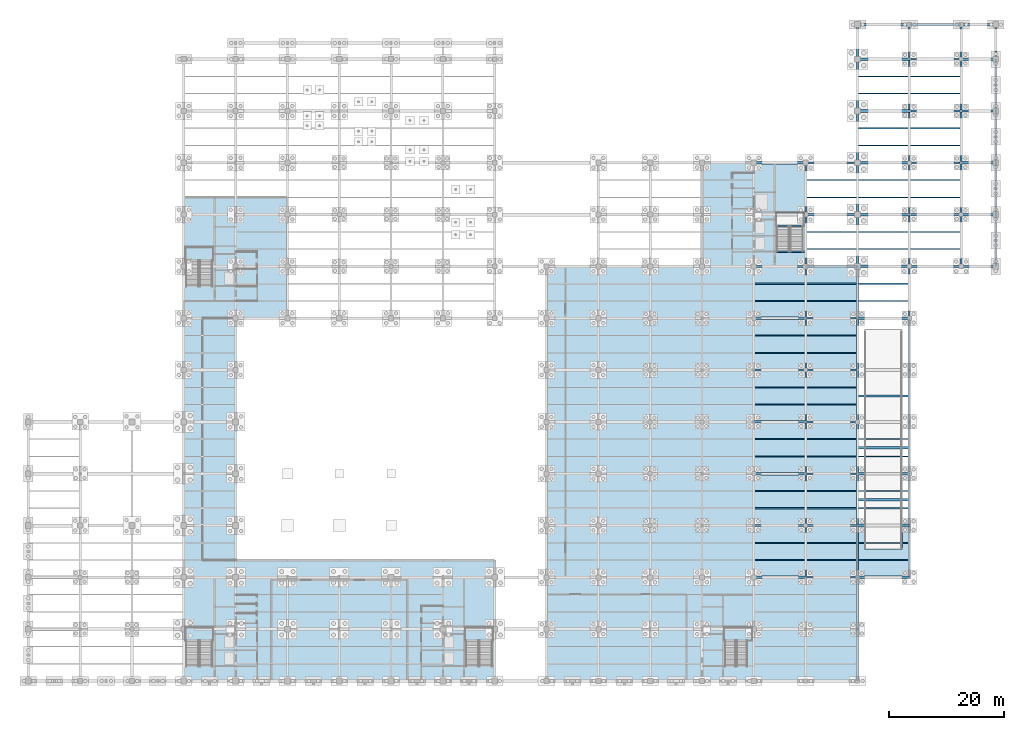
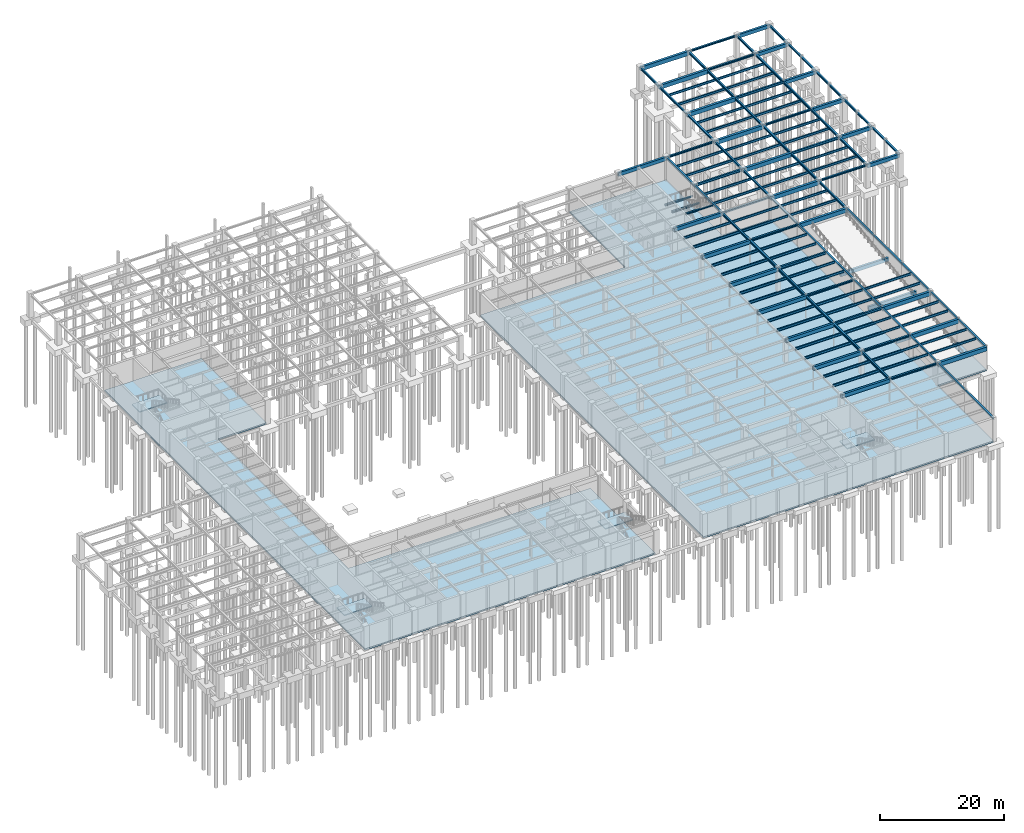
# One storey, part 35 of 49: 139 beams, 6 slabs, 4 elements without a shape of their own.
"""IFC4 building model written with IfcOpenShell, lengths in metres."""

import ifcopenshell
import ifcopenshell.guid

model = None  # the IFC model being written
_history = None  # IfcOwnerHistory: only IFC2X3 demands one
_inside = {}  # id of a spatial element -> (the spatial element, [elements in it])
_under = {}  # id of a project, library or spatial element -> (it, [spatial elements below it])
_declared = {}  # id of a project -> (the project, [libraries it declares])
_typed = {}  # id of a type object -> (the type object, [elements of that type])
_made_of = {}  # id of a material, layer set ... -> (it, [elements and type objects made of it])


def new_model(schema):
    """Start an empty IFC model of exactly this schema.

    Asked for "IFC4X3", IfcOpenShell would pick the latest addendum, in which some entities
    have other attributes; the version numbers below select the first issue.
    IFC2X3 requires an IfcOwnerHistory on every rooted entity: one is made here for all.
    """
    global model, _history
    if schema == "IFC4X3":
        model = ifcopenshell.file(schema_version=(4, 3, 0, 0))
    else:
        model = ifcopenshell.file(schema=schema)
    _inside.clear()
    _under.clear()
    _declared.clear()
    _typed.clear()
    _made_of.clear()
    _history = None
    if model.schema == "IFC2X3":
        org = make("IfcOrganization", Name="unknown")
        user = make(
            "IfcPersonAndOrganization",
            ThePerson=make("IfcPerson", FamilyName="unknown"),
            TheOrganization=org,
        )
        app = make(
            "IfcApplication",
            ApplicationDeveloper=org,
            Version="unknown",
            ApplicationFullName="unknown",
            ApplicationIdentifier="unknown",
        )
        _history = make(
            "IfcOwnerHistory",
            OwningUser=user,
            OwningApplication=app,
            ChangeAction="ADDED",
            CreationDate=0,
        )
    return model


def make(cls, **values):
    """One entity of the class cls with the attributes given. An attribute that is None is left unset."""
    return model.create_entity(
        cls, **{name: value for name, value in values.items() if value is not None}
    )


def rooted(cls, **values):
    """An entity with a GlobalId (a new one), such as an element, a storey or a relation."""
    return make(cls, GlobalId=ifcopenshell.guid.new(), OwnerHistory=_history, **values)


def si_unit(unit_type, name, prefix=None):
    """IfcSIUnit, for example si_unit("LENGTHUNIT", "METRE", prefix="MILLI")."""
    return make("IfcSIUnit", UnitType=unit_type, Prefix=prefix, Name=name)


def assignment(units):
    """IfcUnitAssignment: the units of a project."""
    return None if units is None else make("IfcUnitAssignment", Units=units)


def point(xyz):
    """IfcCartesianPoint."""
    return None if xyz is None else make("IfcCartesianPoint", Coordinates=xyz)


def direction(xyz):
    """IfcDirection."""
    return None if xyz is None else make("IfcDirection", DirectionRatios=xyz)


def frame(location, z_axis=None, x_axis=None):
    """IfcAxis2Placement3D, a coordinate frame: its origin and axes. An axis left out is left unset."""
    return make(
        "IfcAxis2Placement3D",
        Location=point(location),
        Axis=direction(z_axis),
        RefDirection=direction(x_axis),
    )


def frame_2d(location, x_axis=None):
    """IfcAxis2Placement2D, a coordinate frame in the plane: its origin and x axis."""
    return make(
        "IfcAxis2Placement2D", Location=point(location), RefDirection=direction(x_axis)
    )


def origin():
    """The frame at (0, 0, 0) with its axes left unset."""
    return frame((0.0, 0.0, 0.0))


def origin_2d():
    """The frame at (0, 0) in the plane with its x axis left unset."""
    return frame_2d((0.0, 0.0))


def place(relative_to, where):
    """IfcLocalPlacement: puts the frame where relative to a parent placement (None: the world)."""
    return make(
        "IfcLocalPlacement", PlacementRelTo=relative_to, RelativePlacement=where
    )


def context(
    kind, dimensions, precision=None, world=None, true_north=None, identifier=None
):
    """IfcGeometricRepresentationContext, for example the 3D "Model" context."""
    return make(
        "IfcGeometricRepresentationContext",
        ContextIdentifier=identifier,
        ContextType=kind,
        CoordinateSpaceDimension=dimensions,
        Precision=precision,
        WorldCoordinateSystem=world,
        TrueNorth=true_north,
    )


def subcontext(parent, identifier, kind, view, scale=None):
    """IfcGeometricRepresentationSubContext, for example "Body" below "Model"."""
    return make(
        "IfcGeometricRepresentationSubContext",
        ContextIdentifier=identifier,
        ContextType=kind,
        ParentContext=parent,
        TargetScale=scale,
        TargetView=view,
    )


def project(units=None, contexts=None):
    """IfcProject with its units and contexts."""
    return rooted(
        "IfcProject",
        Name="project",
        RepresentationContexts=contexts,
        UnitsInContext=assignment(units),
    )


def spatial(cls, under=None, at=None, **own):
    """A site, building, storey or space (cls), placed at a placement, below another one or the project."""
    s = rooted(cls, ObjectPlacement=at, **own)
    if under is not None:
        _under.setdefault(under.id(), (under, []))[1].append(s)
    return s


def polyline(points):
    """IfcPolyline through the points."""
    return make("IfcPolyline", Points=[point(p) for p in points])


def profile(cls, at=None, kind="AREA", **sizes):
    """A parametric profile (cls). Its sizes go by their IFC names, for example OverallWidth=200.0."""
    return make(cls, ProfileType=kind, Position=at, **sizes)


def rectangle(**sizes):
    """IfcRectangleProfileDef."""
    return profile("IfcRectangleProfileDef", **sizes)


def i_section(**sizes):
    """IfcIShapeProfileDef."""
    return profile("IfcIShapeProfileDef", **sizes)


def outline(outer, holes=None, kind="AREA"):
    """IfcArbitraryClosedProfileDef: a profile drawn as a closed curve; with holes, ...WithVoids."""
    if holes is None:
        return make("IfcArbitraryClosedProfileDef", ProfileType=kind, OuterCurve=outer)
    return make(
        "IfcArbitraryProfileDefWithVoids",
        ProfileType=kind,
        OuterCurve=outer,
        InnerCurves=holes,
    )


def extrude(swept, where, along, depth):
    """IfcExtrudedAreaSolid: the profile swept, set in the frame where, extruded along a direction by depth."""
    return make(
        "IfcExtrudedAreaSolid",
        SweptArea=swept,
        Position=where,
        ExtrudedDirection=direction(along),
        Depth=depth,
    )


def shape(context_of_items, identifier, shape_type, items):
    """IfcShapeRepresentation: the items that make up one representation, for example the "Body"."""
    return make(
        "IfcShapeRepresentation",
        ContextOfItems=context_of_items,
        RepresentationIdentifier=identifier,
        RepresentationType=shape_type,
        Items=items,
    )


def material(Name=None, Category=None):
    """IfcMaterial."""
    return make("IfcMaterial", Name=Name, Category=Category)


def layer(
    of_material, thickness, ventilated=None, Name=None, Category=None, Priority=None
):
    """IfcMaterialLayer: one layer of a wall or slab, of a material (None: an air gap)."""
    return make(
        "IfcMaterialLayer",
        Material=of_material,
        LayerThickness=thickness,
        IsVentilated=ventilated,
        Name=Name,
        Category=Category,
        Priority=Priority,
    )


def layer_set(layers, Name=None):
    """IfcMaterialLayerSet."""
    return make("IfcMaterialLayerSet", MaterialLayers=layers, LayerSetName=Name)


def material_profile(
    of_material, cross_section, Name=None, Category=None, Priority=None
):
    """IfcMaterialProfile: a cross section and its material."""
    return make(
        "IfcMaterialProfile",
        Name=Name,
        Material=of_material,
        Profile=cross_section,
        Priority=Priority,
        Category=Category,
    )


def profile_set(profiles, Name=None, composite=None):
    """IfcMaterialProfileSet."""
    return make(
        "IfcMaterialProfileSet",
        Name=Name,
        MaterialProfiles=profiles,
        CompositeProfile=composite,
    )


def made_of(thing, what):
    """Note that an element or type object is made of a material, layer set ...; save() writes the relation."""
    if what is not None:
        _made_of.setdefault(what.id(), (what, []))[1].append(thing)
    return thing


def type_object(cls, material=None, **own):
    """A type object (cls), such as IfcWallType, which elements share."""
    return made_of(rooted(cls, **own), material)


def element(
    cls,
    number,
    at=None,
    inside=None,
    cuts=None,
    type_object=None,
    material=None,
    context=None,
    identifier="Body",
    shape_type=None,
    held_by="IfcProductDefinitionShape",
    body=None,
    shapes=None,
    **own,
):
    """One element of the class cls, such as IfcWall. Its Tag is "e" and its number.

    at: its placement. inside: the storey or other place that contains it. cuts: it is an
    opening in that element (IfcRelVoidsElement). A single representation is given by context,
    identifier, shape_type and body (its items); several are given by shapes. held_by: the class
    of the entity that holds the representations. save() writes the other relations.
    """
    e = rooted(cls, Tag="e%d" % number, ObjectPlacement=at, **own)
    if body is not None:
        shapes = [shape(context, identifier, shape_type, body)]
    if shapes is not None:
        e.Representation = make(held_by, Representations=shapes)
    if inside is not None:
        _inside.setdefault(inside.id(), (inside, []))[1].append(e)
    if cuts is not None:
        rooted(
            "IfcRelVoidsElement", RelatingBuildingElement=cuts, RelatedOpeningElement=e
        )
    if type_object is not None:
        _typed.setdefault(type_object.id(), (type_object, []))[1].append(e)
    return made_of(e, material)


def aggregate(whole, parts):
    """IfcRelAggregates: a whole, such as a stair, and the parts it consists of."""
    return rooted("IfcRelAggregates", RelatingObject=whole, RelatedObjects=parts)


def save(model, path):
    """Write the relations noted so far, then the file.

    IfcRelAggregates (storeys below a building ...), IfcRelContainedInSpatialStructure (elements
    in a storey), IfcRelDefinesByType, IfcRelAssociatesMaterial and IfcRelDeclares: one each for
    every whole, place, type object, material and project.
    """
    for whole, parts in _under.values():
        aggregate(whole, parts)
    for where, things in _inside.values():
        rooted(
            "IfcRelContainedInSpatialStructure",
            RelatedElements=things,
            RelatingStructure=where,
        )
    for kind, things in _typed.values():
        rooted("IfcRelDefinesByType", RelatedObjects=things, RelatingType=kind)
    for what, things in _made_of.values():
        rooted("IfcRelAssociatesMaterial", RelatedObjects=things, RelatingMaterial=what)
    for by, libraries in _declared.values():
        rooted("IfcRelDeclares", RelatingContext=by, RelatedDefinitions=libraries)
    model.write(path)


model = new_model("IFC4")

# Units and contexts
model_context = context("Model", 3, precision=1e-05, world=origin(), true_north=direction((0.0, 1.0)))
body_context = subcontext(model_context, "Body", "Model", "MODEL_VIEW")
ifc_project = project(units=[si_unit("LENGTHUNIT", "METRE"), si_unit("AREAUNIT", "SQUARE_METRE"), si_unit("VOLUMEUNIT", "CUBIC_METRE"), si_unit("PLANEANGLEUNIT", "RADIAN"), si_unit("MASSUNIT", "GRAM", prefix="KILO")], contexts=[model_context])

# Site, building, storey
site_placement = place(None, origin())
site = spatial("IfcSite", under=ifc_project, at=site_placement, CompositionType="ELEMENT")
building_placement = place(site_placement, origin())
building = spatial("IfcBuilding", under=site, at=building_placement, Name="Lykobir Media Centre", CompositionType="ELEMENT")
storey_placement = place(building_placement, frame((0.0, 0.0, -4.800048828125)))
storey = spatial("IfcBuildingStorey", under=building, at=storey_placement, Name="B1", CompositionType="ELEMENT", Elevation=-4.800048828125)

# Beams
ifc_material_1 = material(Name="Steel S355", Category="steel")
ifc_material_profile_1 = material_profile(ifc_material_1, i_section(OverallWidth=0.300048828125, OverallDepth=0.43994140625, WebThickness=0.011474609375, FlangeThickness=0.02099609375, at=origin_2d()), Name="HEA 450")
ifc_profile_set_1 = profile_set([ifc_material_profile_1], Name="Steel S355")
beam_type_1 = type_object("IfcBeamType", Name="BM-HEA450", PredefinedType="BEAM", material=ifc_profile_set_1)
for number, where, z_axis, x_axis, name in (
    (1, (135.0, 18.0, 4.330078125), (0.0, 1.0, 0.0), (-1.0, 0.0, 0.0), "Beam BM-B1-1350-0180-1350-0270--47"),
    (2, (135.0, 27.0, 4.330078125), (0.0, 1.0, 0.0), (-1.0, 0.0, 0.0), "Beam BM-B1-1350-0270-1350-0360--47"),
    (3, (135.0, 36.0, 4.330078125), (0.0, 1.0, 0.0), (-1.0, 0.0, 0.0), "Beam BM-B1-1350-0360-1350-0450--47"),
    (4, (135.0, 45.0, 4.330078125), (0.0, 1.0, 0.0), (-1.0, 0.0, 0.0), "Beam BM-B1-1350-0450-1350-0540--47"),
    (5, (135.0, 54.0, 4.330078125), (0.0, 1.0, 0.0), (-1.0, 0.0, 0.0), "Beam BM-B1-1350-0540-1350-0630--47"),
    (6, (135.0, 63.0, 4.330078125), (0.0, 1.0, 0.0), (-1.0, 0.0, 0.0), "Beam BM-B1-1350-0630-1350-0720--47"),
    (7, (135.0, 72.0, 4.330078125), (0.0, 1.0, 0.0), (-1.0, 0.0, 0.0), "Beam BM-B1-1350-0720-1350-0810--47"),
    (8, (135.0, 81.0, 4.330078125), (0.0, 1.0, 0.0), (-1.0, 0.0, 0.0), "Beam BM-B1-1350-0810-1350-0900--47"),
    (9, (153.0, 18.0, 4.330078125), (0.0, 1.0, 0.0), (-1.0, 0.0, 0.0), "Beam BM-B1-1530-0180-1530-0270--47"),
    (10, (153.0, 27.0, 4.330078125), (0.0, 1.0, 0.0), (-1.0, 0.0, 0.0), "Beam BM-B1-1530-0270-1530-0360--47"),
    (11, (153.0, 36.0, 4.330078125), (0.0, 1.0, 0.0), (-1.0, 0.0, 0.0), "Beam BM-B1-1530-0360-1530-0450--47"),
    (12, (153.0, 45.0, 4.330078125), (0.0, 1.0, 0.0), (-1.0, 0.0, 0.0), "Beam BM-B1-1530-0450-1530-0540--47"),
    (13, (153.0, 54.0, 4.330078125), (0.0, 1.0, 0.0), (-1.0, 0.0, 0.0), "Beam BM-B1-1530-0540-1530-0630--47"),
    (14, (153.0, 63.0, 4.298095703125), (0.0, 1.0, 0.0), (-1.0, 0.0, 0.0), "Beam BM-B1-1530-0630-1530-0720--47"),
    (15, (153.0, 72.0, 4.300048828125), (0.0, 1.0, 0.0), (-1.0, 0.0, 0.0), "Beam BM-B1-1530-0720-1530-0810--50"),
    (16, (153.0, 81.0, 4.300048828125), (0.0, 1.0, 0.0), (-1.0, 0.0, 0.0), "Beam BM-B1-1530-0810-1530-0900--50"),
    (17, (153.0, 90.0, 4.300048828125), (0.0, 1.0, 0.0), (-1.0, 0.0, 0.0), "Beam BM-B1-1530-0900-1530-0990--50"),
    (18, (153.0, 99.0, 4.300048828125), (0.0, 1.0, 0.0), (-1.0, 0.0, 0.0), "Beam BM-B1-1530-0990-1530-1080--50"),
):
    element("IfcBeam", number, at=place(storey_placement, frame(where, z_axis=z_axis, x_axis=x_axis)), inside=storey, type_object=beam_type_1, Name=name, PredefinedType="BEAM", context=body_context, shape_type="SweptSolid", body=[
        extrude(i_section(OverallWidth=0.300048828125, OverallDepth=0.43994140625, WebThickness=0.011474609375, FlangeThickness=0.02099609375, at=origin_2d()), origin(), (0.0, 0.0, 1.0), 9.0),
    ])
beam_1_placement = place(storey_placement, frame((153.0, 108.0, 4.300048828125), z_axis=(0.0, 1.0, 0.0), x_axis=(-1.0, 0.0, 0.0)))
element("IfcBeam", 19, at=beam_1_placement, inside=storey, type_object=beam_type_1, Name="Beam BM-B1-1530-1080-1530-1140--50", PredefinedType="BEAM", context=body_context, shape_type="SweptSolid", body=[
    extrude(i_section(OverallWidth=0.300048828125, OverallDepth=0.43994140625, WebThickness=0.011474609375, FlangeThickness=0.02099609375, at=origin_2d()), origin(), (0.0, 0.0, 1.0), 6.0),
])
for number, where, z_axis, x_axis, name in (
    (20, (162.0, 72.0, 4.300048828125), (0.0, 1.0, 0.0), (-1.0, 0.0, 0.0), "Beam BM-B1-1620-0720-1620-0810--50"),
    (21, (162.0, 81.0, 4.300048828125), (0.0, 1.0, 0.0), (-1.0, 0.0, 0.0), "Beam BM-B1-1620-0810-1620-0900--50"),
    (22, (162.0, 90.0, 4.300048828125), (0.0, 1.0, 0.0), (-1.0, 0.0, 0.0), "Beam BM-B1-1620-0900-1620-0990--50"),
    (23, (162.0, 99.0, 4.300048828125), (0.0, 1.0, 0.0), (-1.0, 0.0, 0.0), "Beam BM-B1-1620-0990-1620-1080--50"),
):
    element("IfcBeam", number, at=place(storey_placement, frame(where, z_axis=z_axis, x_axis=x_axis)), inside=storey, type_object=beam_type_1, Name=name, PredefinedType="BEAM", context=body_context, shape_type="SweptSolid", body=[
        extrude(i_section(OverallWidth=0.300048828125, OverallDepth=0.43994140625, WebThickness=0.011474609375, FlangeThickness=0.02099609375, at=origin_2d()), origin(), (0.0, 0.0, 1.0), 9.0),
    ])
beam_2_placement = place(storey_placement, frame((162.0, 108.0, 4.300048828125), z_axis=(0.0, 1.0, 0.0), x_axis=(-1.0, 0.0, 0.0)))
element("IfcBeam", 24, at=beam_2_placement, inside=storey, type_object=beam_type_1, Name="Beam BM-B1-1620-1080-1620-1140--50", PredefinedType="BEAM", context=body_context, shape_type="SweptSolid", body=[
    extrude(i_section(OverallWidth=0.300048828125, OverallDepth=0.43994140625, WebThickness=0.011474609375, FlangeThickness=0.02099609375, at=origin_2d()), origin(), (0.0, 0.0, 1.0), 6.0),
])
ifc_material_profile_2 = material_profile(ifc_material_1, i_section(OverallWidth=0.300048828125, OverallDepth=0.489990234375, WebThickness=0.011962890625, FlangeThickness=0.02294921875, at=origin_2d()), Name="HEA 500")
ifc_profile_set_2 = profile_set([ifc_material_profile_2], Name="Steel S355")
beam_type_2 = type_object("IfcBeamType", Name="BM-HEA500", PredefinedType="BEAM", material=ifc_profile_set_2)
for number, where, z_axis, x_axis, name in (
    (25, (135.0, 36.0, 4.304931640625), (1.0, 0.0, 0.0), (0.0, 1.0, 0.0), "Beam BM-B1-1350-0360-1440-0360--50"),
    (26, (135.0, 54.0, 4.304931640625), (1.0, 0.0, 0.0), (0.0, 1.0, 0.0), "Beam BM-B1-1350-0540-1440-0540--50"),
    (27, (135.0, 81.0, 4.27294921875), (1.0, 0.0, 0.0), (0.0, 1.0, 0.0), "Beam BM-B1-1350-0810-1440-0810--50"),
    (28, (153.0, 81.0, 4.275146484375), (1.0, 0.0, 0.0), (0.0, 1.0, 0.0), "Beam BM-B1-1530-0810-1620-0810--52"),
    (29, (153.0, 99.0, 4.275146484375), (1.0, 0.0, 0.0), (0.0, 1.0, 0.0), "Beam BM-B1-1530-0990-1620-0990--52"),
):
    element("IfcBeam", number, at=place(storey_placement, frame(where, z_axis=z_axis, x_axis=x_axis)), inside=storey, type_object=beam_type_2, Name=name, PredefinedType="BEAM", context=body_context, shape_type="SweptSolid", body=[
        extrude(i_section(OverallWidth=0.300048828125, OverallDepth=0.489990234375, WebThickness=0.011962890625, FlangeThickness=0.02294921875, at=origin_2d()), origin(), (0.0, 0.0, 1.0), 9.0),
    ])
ifc_material_2 = material(Name="Concrete C40/50", Category="concrete")
ifc_material_profile_3 = material_profile(ifc_material_2, rectangle(XDim=0.39990234375, YDim=0.699951171875, at=origin_2d()), Name="RC BEAM 400x700")
ifc_profile_set_3 = profile_set([ifc_material_profile_3], Name="Concrete C40/50")
beam_type_3 = type_object("IfcBeamType", Name="BM-RC700", PredefinedType="BEAM", material=ifc_profile_set_3)
for number, where, z_axis, x_axis, name in (
    (30, (144.0, 31.5, 0.429931640625), (1.0, 0.0, 0.0), (0.0, 1.0, 0.0), "Beam BM-B1-1440-0315-1530-0315--437"),
    (31, (144.0, 40.5, 1.554931640625), (1.0, 0.0, 0.0), (0.0, 1.0, 0.0), "Beam BM-B1-1440-0405-1530-0405--324"),
    (32, (144.0, 49.5, 2.679931640625), (1.0, 0.0, 0.0), (0.0, 1.0, 0.0), "Beam BM-B1-1440-0495-1530-0495--212"),
    (33, (126.0, 18.0, 4.199951171875), (1.0, 0.0, 0.0), (0.0, 1.0, 0.0), "Beam BM-B1-1260-0180-1350-0180--60"),
    (34, (126.0, 27.0, 4.199951171875), (1.0, 0.0, 0.0), (0.0, 1.0, 0.0), "Beam BM-B1-1260-0270-1350-0270--60"),
    (35, (126.0, 36.0, 4.199951171875), (1.0, 0.0, 0.0), (0.0, 1.0, 0.0), "Beam BM-B1-1260-0360-1350-0360--60"),
    (36, (126.0, 45.0, 4.199951171875), (1.0, 0.0, 0.0), (0.0, 1.0, 0.0), "Beam BM-B1-1260-0450-1350-0450--60"),
    (37, (126.0, 54.0, 4.199951171875), (1.0, 0.0, 0.0), (0.0, 1.0, 0.0), "Beam BM-B1-1260-0540-1350-0540--60"),
    (38, (126.0, 63.0, 4.199951171875), (1.0, 0.0, 0.0), (0.0, 1.0, 0.0), "Beam BM-B1-1260-0630-1350-0630--60"),
    (39, (126.0, 72.0, 4.199951171875), (1.0, 0.0, 0.0), (0.0, 1.0, 0.0), "Beam BM-B1-1260-0720-1350-0720--60"),
):
    element("IfcBeam", number, at=place(storey_placement, frame(where, z_axis=z_axis, x_axis=x_axis)), inside=storey, type_object=beam_type_3, Name=name, PredefinedType="BEAM", context=body_context, shape_type="SweptSolid", body=[
        extrude(rectangle(XDim=0.39990234375, YDim=0.699951171875, at=origin_2d()), origin(), (0.0, 0.0, 1.0), 9.0),
    ])
for number, where, z_axis, x_axis, name in (
    (40, (162.0, 72.0, 4.170166015625), (1.0, 0.0, 0.0), (0.0, 1.0, 0.0), "Beam BM-B1-1620-0720-1680-0720--63"),
    (41, (162.0, 81.0, 4.170166015625), (1.0, 0.0, 0.0), (0.0, 1.0, 0.0), "Beam BM-B1-1620-0810-1680-0810--63"),
):
    element("IfcBeam", number, at=place(storey_placement, frame(where, z_axis=z_axis, x_axis=x_axis)), inside=storey, type_object=beam_type_3, Name=name, PredefinedType="BEAM", context=body_context, shape_type="SweptSolid", body=[
        extrude(rectangle(XDim=0.39990234375, YDim=0.699951171875, at=origin_2d()), origin(), (0.0, 0.0, 1.0), 6.0),
    ])
beam_3_placement = place(storey_placement, frame((126.0, 90.0, 4.199951171875), z_axis=(1.0, 0.0, 0.0), x_axis=(0.0, 1.0, 0.0)))
element("IfcBeam", 42, at=beam_3_placement, inside=storey, type_object=beam_type_3, Name="Beam BM-B1-1260-0900-1350-0900--60", PredefinedType="BEAM", context=body_context, shape_type="SweptSolid", body=[
    extrude(rectangle(XDim=0.39990234375, YDim=0.699951171875, at=origin_2d()), origin(), (0.0, 0.0, 1.0), 9.0),
])
for number, where, z_axis, x_axis, name in (
    (43, (162.0, 90.0, 4.170166015625), (1.0, 0.0, 0.0), (0.0, 1.0, 0.0), "Beam BM-B1-1620-0900-1680-0900--63"),
    (44, (162.0, 99.0, 4.170166015625), (1.0, 0.0, 0.0), (0.0, 1.0, 0.0), "Beam BM-B1-1620-0990-1680-0990--63"),
    (45, (162.0, 108.0, 4.170166015625), (1.0, 0.0, 0.0), (0.0, 1.0, 0.0), "Beam BM-B1-1620-1080-1680-1080--63"),
    (46, (162.0, 114.0, 4.170166015625), (1.0, 0.0, 0.0), (0.0, 1.0, 0.0), "Beam BM-B1-1620-1140-1680-1140--63"),
):
    element("IfcBeam", number, at=place(storey_placement, frame(where, z_axis=z_axis, x_axis=x_axis)), inside=storey, type_object=beam_type_3, Name=name, PredefinedType="BEAM", context=body_context, shape_type="SweptSolid", body=[
        extrude(rectangle(XDim=0.39990234375, YDim=0.699951171875, at=origin_2d()), origin(), (0.0, 0.0, 1.0), 6.0),
    ])
ifc_material_profile_4 = material_profile(ifc_material_2, rectangle(XDim=0.449951171875, YDim=0.800048828125, at=origin_2d()), Name="RC BEAM 450x800")
ifc_profile_set_4 = profile_set([ifc_material_profile_4], Name="Concrete C40/50")
beam_type_4 = type_object("IfcBeamType", Name="BM-RC800", PredefinedType="BEAM", material=ifc_profile_set_4)
for number, where, z_axis, x_axis, name in (
    (47, (144.0, 18.0, 4.150146484375), (1.0, 0.0, 0.0), (0.0, 1.0, 0.0), "Beam BM-B1-1440-0180-1530-0180--65"),
    (48, (144.0, 27.0, 4.150146484375), (1.0, 0.0, 0.0), (0.0, 1.0, 0.0), "Beam BM-B1-1440-0270-1530-0270--65"),
    (49, (144.0, 36.0, 4.150146484375), (1.0, 0.0, 0.0), (0.0, 1.0, 0.0), "Beam BM-B1-1440-0360-1530-0360--65"),
    (50, (144.0, 63.0, 4.150146484375), (1.0, 0.0, 0.0), (0.0, 1.0, 0.0), "Beam BM-B1-1440-0630-1530-0630--65"),
    (51, (144.0, 72.0, 4.1201171875), (1.0, 0.0, 0.0), (0.0, 1.0, 0.0), "Beam BM-B1-1440-0720-1530-0720--68"),
    (52, (144.0, 81.0, 4.1201171875), (1.0, 0.0, 0.0), (0.0, 1.0, 0.0), "Beam BM-B1-1440-0810-1530-0810--68"),
    (53, (144.0, 90.0, 4.1201171875), (1.0, 0.0, 0.0), (0.0, 1.0, 0.0), "Beam BM-B1-1440-0900-1530-0900--68"),
    (54, (144.0, 99.0, 4.1201171875), (1.0, 0.0, 0.0), (0.0, 1.0, 0.0), "Beam BM-B1-1440-0990-1530-0990--68"),
    (55, (144.0, 108.0, 4.1201171875), (1.0, 0.0, 0.0), (0.0, 1.0, 0.0), "Beam BM-B1-1440-1080-1530-1080--68"),
    (56, (144.0, 114.0, 4.1201171875), (1.0, 0.0, 0.0), (0.0, 1.0, 0.0), "Beam BM-B1-1440-1140-1530-1140--68"),
):
    element("IfcBeam", number, at=place(storey_placement, frame(where, z_axis=z_axis, x_axis=x_axis)), inside=storey, type_object=beam_type_4, Name=name, PredefinedType="BEAM", context=body_context, shape_type="SweptSolid", body=[
        extrude(rectangle(XDim=0.449951171875, YDim=0.800048828125, at=origin_2d()), origin(), (0.0, 0.0, 1.0), 9.0),
    ])
ifc_material_profile_5 = material_profile(ifc_material_1, i_section(OverallWidth=0.260009765625, OverallDepth=0.25, WebThickness=0.007568359375, FlangeThickness=0.012451171875, at=origin_2d()), Name="HEA 260")
ifc_profile_set_5 = profile_set([ifc_material_profile_5], Name="Steel S355")
beam_type_5 = type_object("IfcBeamType", Name="BM-ST260", PredefinedType="BEAM", material=ifc_profile_set_5)
beam_4_placement = place(storey_placement, frame((129.72998046875, 81.280029296875, 2.080078125), z_axis=(1.0, 0.0, 0.0), x_axis=(0.0, 1.0, 0.0)))
element("IfcBeam", 57, at=beam_4_placement, inside=storey, type_object=beam_type_5, Name="ST-4 B1 half-landing support beam", PredefinedType="BEAM", context=body_context, shape_type="SweptSolid", body=[
    extrude(i_section(OverallWidth=0.260009765625, OverallDepth=0.25, WebThickness=0.007568359375, FlangeThickness=0.012451171875, at=origin_2d()), origin(), (0.0, 0.0, 1.0), 5.14013671875),
])
ifc_material_profile_6 = material_profile(ifc_material_1, i_section(OverallWidth=0.280029296875, OverallDepth=0.27001953125, WebThickness=0.008056640625, FlangeThickness=0.012939453125, at=origin_2d()), Name="HEA 280")
ifc_profile_set_6 = profile_set([ifc_material_profile_6], Name="Steel S355")
beam_type_6 = type_object("IfcBeamType", Name="BM-ST280", PredefinedType="BEAM", material=ifc_profile_set_6)
for number, where, z_axis, x_axis, name in (
    (58, (129.72998046875, 74.580078125, 4.4150390625), (1.0, 0.0, 0.0), (0.0, 1.0, 0.0), "ST-4 B1 arrival trimmer beam"),
    (59, (129.72998046875, 79.080078125, 2.070068359375), (1.0, 0.0, 0.0), (0.0, 1.0, 0.0), "ST-4 B1 mid-landing trimmer beam"),
):
    element("IfcBeam", number, at=place(storey_placement, frame(where, z_axis=z_axis, x_axis=x_axis)), inside=storey, type_object=beam_type_6, Name=name, PredefinedType="BEAM", context=body_context, shape_type="SweptSolid", body=[
        extrude(i_section(OverallWidth=0.280029296875, OverallDepth=0.27001953125, WebThickness=0.008056640625, FlangeThickness=0.012939453125, at=origin_2d()), origin(), (0.0, 0.0, 1.0), 5.14013671875),
    ])
ifc_material_profile_7 = material_profile(ifc_material_1, i_section(OverallWidth=0.18994140625, OverallDepth=0.449951171875, WebThickness=0.009521484375, FlangeThickness=0.0146484375, at=origin_2d()), Name="IPE 450")
ifc_profile_set_7 = profile_set([ifc_material_profile_7], Name="Steel S355")
beam_type_7 = type_object("IfcBeamType", Name="JS-IPE450", PredefinedType="JOIST", material=ifc_profile_set_7)
for number, where, z_axis, x_axis, name in (
    (60, (126.14990234375, 21.0, 4.324951171875), (1.0, 0.0, 0.0), (0.0, 1.0, 0.0), "Beam BM-B1-1262-0210-1348-0210--48"),
    (61, (126.14990234375, 24.0, 4.324951171875), (1.0, 0.0, 0.0), (0.0, 1.0, 0.0), "Beam BM-B1-1262-0240-1348-0240--48"),
    (62, (126.14990234375, 30.0, 4.324951171875), (1.0, 0.0, 0.0), (0.0, 1.0, 0.0), "Beam BM-B1-1262-0300-1348-0300--48"),
    (63, (126.14990234375, 33.0, 4.324951171875), (1.0, 0.0, 0.0), (0.0, 1.0, 0.0), "Beam BM-B1-1262-0330-1348-0330--48"),
    (64, (126.14990234375, 39.0, 4.324951171875), (1.0, 0.0, 0.0), (0.0, 1.0, 0.0), "Beam BM-B1-1262-0390-1348-0390--48"),
    (65, (126.14990234375, 42.0, 4.324951171875), (1.0, 0.0, 0.0), (0.0, 1.0, 0.0), "Beam BM-B1-1262-0420-1348-0420--48"),
    (66, (126.14990234375, 48.0, 4.324951171875), (1.0, 0.0, 0.0), (0.0, 1.0, 0.0), "Beam BM-B1-1262-0480-1348-0480--48"),
    (67, (126.14990234375, 51.0, 4.324951171875), (1.0, 0.0, 0.0), (0.0, 1.0, 0.0), "Beam BM-B1-1262-0510-1348-0510--48"),
    (68, (126.14990234375, 57.0, 4.324951171875), (1.0, 0.0, 0.0), (0.0, 1.0, 0.0), "Beam BM-B1-1262-0570-1348-0570--48"),
    (69, (126.14990234375, 60.0, 4.324951171875), (1.0, 0.0, 0.0), (0.0, 1.0, 0.0), "Beam BM-B1-1262-0600-1348-0600--48"),
    (70, (126.14990234375, 66.0, 4.324951171875), (1.0, 0.0, 0.0), (0.0, 1.0, 0.0), "Beam BM-B1-1262-0660-1348-0660--48"),
    (71, (126.14990234375, 69.0, 4.324951171875), (1.0, 0.0, 0.0), (0.0, 1.0, 0.0), "Beam BM-B1-1262-0690-1348-0690--48"),
    (72, (135.14990234375, 21.0, 4.324951171875), (1.0, 0.0, 0.0), (0.0, 1.0, 0.0), "Beam BM-B1-1352-0210-1438-0210--48"),
    (73, (135.14990234375, 24.0, 4.324951171875), (1.0, 0.0, 0.0), (0.0, 1.0, 0.0), "Beam BM-B1-1352-0240-1438-0240--48"),
    (74, (135.14990234375, 30.0, 4.324951171875), (1.0, 0.0, 0.0), (0.0, 1.0, 0.0), "Beam BM-B1-1352-0300-1438-0300--48"),
    (75, (135.14990234375, 33.0, 4.324951171875), (1.0, 0.0, 0.0), (0.0, 1.0, 0.0), "Beam BM-B1-1352-0330-1438-0330--48"),
    (76, (135.14990234375, 39.0, 4.324951171875), (1.0, 0.0, 0.0), (0.0, 1.0, 0.0), "Beam BM-B1-1352-0390-1438-0390--48"),
    (77, (135.14990234375, 42.0, 4.324951171875), (1.0, 0.0, 0.0), (0.0, 1.0, 0.0), "Beam BM-B1-1352-0420-1438-0420--48"),
    (78, (135.14990234375, 48.0, 4.324951171875), (1.0, 0.0, 0.0), (0.0, 1.0, 0.0), "Beam BM-B1-1352-0480-1438-0480--48"),
    (79, (135.14990234375, 51.0, 4.324951171875), (1.0, 0.0, 0.0), (0.0, 1.0, 0.0), "Beam BM-B1-1352-0510-1438-0510--48"),
    (80, (135.14990234375, 57.0, 4.324951171875), (1.0, 0.0, 0.0), (0.0, 1.0, 0.0), "Beam BM-B1-1352-0570-1438-0570--48"),
    (81, (135.14990234375, 60.0, 4.324951171875), (1.0, 0.0, 0.0), (0.0, 1.0, 0.0), "Beam BM-B1-1352-0600-1438-0600--48"),
    (82, (135.14990234375, 66.0, 4.324951171875), (1.0, 0.0, 0.0), (0.0, 1.0, 0.0), "Beam BM-B1-1352-0660-1438-0660--48"),
    (83, (135.14990234375, 69.0, 4.324951171875), (1.0, 0.0, 0.0), (0.0, 1.0, 0.0), "Beam BM-B1-1352-0690-1438-0690--48"),
    (84, (135.14990234375, 75.0, 4.324951171875), (1.0, 0.0, 0.0), (0.0, 1.0, 0.0), "Beam BM-B1-1352-0750-1438-0750--48"),
    (85, (135.14990234375, 78.0, 4.324951171875), (1.0, 0.0, 0.0), (0.0, 1.0, 0.0), "Beam BM-B1-1352-0780-1438-0780--48"),
    (86, (135.14990234375, 84.0, 4.324951171875), (1.0, 0.0, 0.0), (0.0, 1.0, 0.0), "Beam BM-B1-1352-0840-1438-0840--48"),
    (87, (135.14990234375, 87.0, 4.324951171875), (1.0, 0.0, 0.0), (0.0, 1.0, 0.0), "Beam BM-B1-1352-0870-1438-0870--48"),
    (88, (144.14990234375, 21.0, 4.324951171875), (1.0, 0.0, 0.0), (0.0, 1.0, 0.0), "Beam BM-B1-1442-0210-1528-0210--48"),
    (89, (144.14990234375, 24.0, 4.324951171875), (1.0, 0.0, 0.0), (0.0, 1.0, 0.0), "Beam BM-B1-1442-0240-1528-0240--48"),
    (90, (144.14990234375, 30.0, 4.324951171875), (1.0, 0.0, 0.0), (0.0, 1.0, 0.0), "Beam BM-B1-1442-0300-1528-0300--48"),
    (91, (144.14990234375, 33.0, 4.324951171875), (1.0, 0.0, 0.0), (0.0, 1.0, 0.0), "Beam BM-B1-1442-0330-1528-0330--48"),
    (92, (144.14990234375, 39.0, 4.324951171875), (1.0, 0.0, 0.0), (0.0, 1.0, 0.0), "Beam BM-B1-1442-0390-1528-0390--48"),
    (93, (144.14990234375, 42.0, 4.324951171875), (1.0, 0.0, 0.0), (0.0, 1.0, 0.0), "Beam BM-B1-1442-0420-1528-0420--48"),
    (94, (144.14990234375, 66.0, 4.324951171875), (1.0, 0.0, 0.0), (0.0, 1.0, 0.0), "Beam BM-B1-1442-0660-1528-0660--48"),
    (95, (144.14990234375, 69.0, 4.324951171875), (1.0, 0.0, 0.0), (0.0, 1.0, 0.0), "Beam BM-B1-1442-0690-1528-0690--48"),
    (96, (144.14990234375, 75.0, 4.295166015625), (1.0, 0.0, 0.0), (0.0, 1.0, 0.0), "Beam BM-B1-1442-0750-1528-0750--50"),
    (97, (144.14990234375, 78.0, 4.295166015625), (1.0, 0.0, 0.0), (0.0, 1.0, 0.0), "Beam BM-B1-1442-0780-1528-0780--50"),
    (98, (144.14990234375, 84.0, 4.295166015625), (1.0, 0.0, 0.0), (0.0, 1.0, 0.0), "Beam BM-B1-1442-0840-1528-0840--50"),
    (99, (144.14990234375, 87.0, 4.295166015625), (1.0, 0.0, 0.0), (0.0, 1.0, 0.0), "Beam BM-B1-1442-0870-1528-0870--50"),
    (100, (144.14990234375, 93.0, 4.295166015625), (1.0, 0.0, 0.0), (0.0, 1.0, 0.0), "Beam BM-B1-1442-0930-1528-0930--50"),
    (101, (144.14990234375, 96.0, 4.295166015625), (1.0, 0.0, 0.0), (0.0, 1.0, 0.0), "Beam BM-B1-1442-0960-1528-0960--50"),
    (102, (144.14990234375, 102.0, 4.295166015625), (1.0, 0.0, 0.0), (0.0, 1.0, 0.0), "Beam BM-B1-1442-1020-1528-1020--50"),
    (103, (144.14990234375, 105.0, 4.295166015625), (1.0, 0.0, 0.0), (0.0, 1.0, 0.0), "Beam BM-B1-1442-1050-1528-1050--50"),
    (104, (153.14990234375, 75.0, 4.295166015625), (1.0, 0.0, 0.0), (0.0, 1.0, 0.0), "Beam BM-B1-1532-0750-1618-0750--50"),
    (105, (153.14990234375, 78.0, 4.295166015625), (1.0, 0.0, 0.0), (0.0, 1.0, 0.0), "Beam BM-B1-1532-0780-1618-0780--50"),
    (106, (153.14990234375, 84.0, 4.295166015625), (1.0, 0.0, 0.0), (0.0, 1.0, 0.0), "Beam BM-B1-1532-0840-1618-0840--50"),
    (107, (153.14990234375, 87.0, 4.295166015625), (1.0, 0.0, 0.0), (0.0, 1.0, 0.0), "Beam BM-B1-1532-0870-1618-0870--50"),
    (108, (153.14990234375, 93.0, 4.295166015625), (1.0, 0.0, 0.0), (0.0, 1.0, 0.0), "Beam BM-B1-1532-0930-1618-0930--50"),
    (109, (153.14990234375, 96.0, 4.295166015625), (1.0, 0.0, 0.0), (0.0, 1.0, 0.0), "Beam BM-B1-1532-0960-1618-0960--50"),
    (110, (153.14990234375, 102.0, 4.295166015625), (1.0, 0.0, 0.0), (0.0, 1.0, 0.0), "Beam BM-B1-1532-1020-1618-1020--50"),
    (111, (153.14990234375, 105.0, 4.295166015625), (1.0, 0.0, 0.0), (0.0, 1.0, 0.0), "Beam BM-B1-1532-1050-1618-1050--50"),
):
    element("IfcBeam", number, at=place(storey_placement, frame(where, z_axis=z_axis, x_axis=x_axis)), inside=storey, type_object=beam_type_7, Name=name, PredefinedType="JOIST", context=body_context, shape_type="SweptSolid", body=[
        extrude(i_section(OverallWidth=0.18994140625, OverallDepth=0.449951171875, WebThickness=0.009521484375, FlangeThickness=0.0146484375, at=origin_2d()), origin(), (0.0, 0.0, 1.0), 8.7001953125),
    ])
ifc_material_profile_8 = material_profile(ifc_material_1, i_section(OverallWidth=0.300048828125, OverallDepth=0.35009765625, WebThickness=0.010009765625, FlangeThickness=0.017578125, at=origin_2d()), Name="HEA 360")
ifc_profile_set_8 = profile_set([ifc_material_profile_8], Name="Steel S355")
beam_type_8 = type_object("IfcBeamType", Name="SP-HEA360", PredefinedType="SPANDREL", material=ifc_profile_set_8)
for number, where, z_axis, x_axis, name in (
    (112, (135.0, 18.0, 4.375), (1.0, 0.0, 0.0), (0.0, 1.0, 0.0), "Beam BM-B1-1350-0180-1440-0180--42"),
    (113, (135.0, 27.0, 4.375), (1.0, 0.0, 0.0), (0.0, 1.0, 0.0), "Beam BM-B1-1350-0270-1440-0270--42"),
    (114, (135.0, 45.0, 4.375), (1.0, 0.0, 0.0), (0.0, 1.0, 0.0), "Beam BM-B1-1350-0450-1440-0450--42"),
    (115, (135.0, 63.0, 4.375), (1.0, 0.0, 0.0), (0.0, 1.0, 0.0), "Beam BM-B1-1350-0630-1440-0630--42"),
    (116, (135.0, 72.0, 4.343017578125), (1.0, 0.0, 0.0), (0.0, 1.0, 0.0), "Beam BM-B1-1350-0720-1440-0720--42"),
    (117, (153.0, 72.0, 4.344970703125), (1.0, 0.0, 0.0), (0.0, 1.0, 0.0), "Beam BM-B1-1530-0720-1620-0720--46"),
    (118, (135.0, 90.0, 4.343017578125), (1.0, 0.0, 0.0), (0.0, 1.0, 0.0), "Beam BM-B1-1350-0900-1440-0900--42"),
    (119, (153.0, 90.0, 4.344970703125), (1.0, 0.0, 0.0), (0.0, 1.0, 0.0), "Beam BM-B1-1530-0900-1620-0900--46"),
    (120, (153.0, 108.0, 4.344970703125), (1.0, 0.0, 0.0), (0.0, 1.0, 0.0), "Beam BM-B1-1530-1080-1620-1080--46"),
    (121, (153.0, 114.0, 4.344970703125), (1.0, 0.0, 0.0), (0.0, 1.0, 0.0), "Beam BM-B1-1530-1140-1620-1140--46"),
    (122, (144.0, 0.0, 4.375), (0.0, 1.0, 0.0), (-1.0, 0.0, 0.0), "Beam BM-B1-1440-0000-1440-0090--42"),
    (123, (144.0, 9.0, 4.375), (0.0, 1.0, 0.0), (-1.0, 0.0, 0.0), "Beam BM-B1-1440-0090-1440-0180--42"),
    (124, (144.0, 18.0, 4.375), (0.0, 1.0, 0.0), (-1.0, 0.0, 0.0), "Beam BM-B1-1440-0180-1440-0270--42"),
    (125, (144.0, 27.0, 4.375), (0.0, 1.0, 0.0), (-1.0, 0.0, 0.0), "Beam BM-B1-1440-0270-1440-0360--42"),
    (126, (144.0, 36.0, 4.375), (0.0, 1.0, 0.0), (-1.0, 0.0, 0.0), "Beam BM-B1-1440-0360-1440-0450--42"),
    (127, (144.0, 45.0, 4.375), (0.0, 1.0, 0.0), (-1.0, 0.0, 0.0), "Beam BM-B1-1440-0450-1440-0540--42"),
    (128, (144.0, 54.0, 4.375), (0.0, 1.0, 0.0), (-1.0, 0.0, 0.0), "Beam BM-B1-1440-0540-1440-0630--42"),
    (129, (144.0, 63.0, 4.343017578125), (0.0, 1.0, 0.0), (-1.0, 0.0, 0.0), "Beam BM-B1-1440-0630-1440-0720--42"),
    (130, (144.0, 72.0, 4.344970703125), (0.0, 1.0, 0.0), (-1.0, 0.0, 0.0), "Beam BM-B1-1440-0720-1440-0810--46"),
    (131, (144.0, 81.0, 4.344970703125), (0.0, 1.0, 0.0), (-1.0, 0.0, 0.0), "Beam BM-B1-1440-0810-1440-0900--46"),
    (132, (144.0, 90.0, 4.344970703125), (0.0, 1.0, 0.0), (-1.0, 0.0, 0.0), "Beam BM-B1-1440-0900-1440-0990--46"),
    (133, (144.0, 99.0, 4.344970703125), (0.0, 1.0, 0.0), (-1.0, 0.0, 0.0), "Beam BM-B1-1440-0990-1440-1080--46"),
):
    element("IfcBeam", number, at=place(storey_placement, frame(where, z_axis=z_axis, x_axis=x_axis)), inside=storey, type_object=beam_type_8, Name=name, PredefinedType="SPANDREL", context=body_context, shape_type="SweptSolid", body=[
        extrude(i_section(OverallWidth=0.300048828125, OverallDepth=0.35009765625, WebThickness=0.010009765625, FlangeThickness=0.017578125, at=origin_2d()), origin(), (0.0, 0.0, 1.0), 9.0),
    ])
beam_5_placement = place(storey_placement, frame((144.0, 108.0, 4.344970703125), z_axis=(0.0, 1.0, 0.0), x_axis=(-1.0, 0.0, 0.0)))
element("IfcBeam", 134, at=beam_5_placement, inside=storey, type_object=beam_type_8, Name="Beam BM-B1-1440-1080-1440-1140--46", PredefinedType="SPANDREL", context=body_context, shape_type="SweptSolid", body=[
    extrude(i_section(OverallWidth=0.300048828125, OverallDepth=0.35009765625, WebThickness=0.010009765625, FlangeThickness=0.017578125, at=origin_2d()), origin(), (0.0, 0.0, 1.0), 6.0),
])
for number, where, z_axis, x_axis, name in (
    (135, (168.0, 72.0, 4.344970703125), (0.0, 1.0, 0.0), (-1.0, 0.0, 0.0), "Beam BM-B1-1680-0720-1680-0810--46"),
    (136, (168.0, 81.0, 4.344970703125), (0.0, 1.0, 0.0), (-1.0, 0.0, 0.0), "Beam BM-B1-1680-0810-1680-0900--46"),
    (137, (168.0, 90.0, 4.344970703125), (0.0, 1.0, 0.0), (-1.0, 0.0, 0.0), "Beam BM-B1-1680-0900-1680-0990--46"),
    (138, (168.0, 99.0, 4.344970703125), (0.0, 1.0, 0.0), (-1.0, 0.0, 0.0), "Beam BM-B1-1680-0990-1680-1080--46"),
):
    element("IfcBeam", number, at=place(storey_placement, frame(where, z_axis=z_axis, x_axis=x_axis)), inside=storey, type_object=beam_type_8, Name=name, PredefinedType="SPANDREL", context=body_context, shape_type="SweptSolid", body=[
        extrude(i_section(OverallWidth=0.300048828125, OverallDepth=0.35009765625, WebThickness=0.010009765625, FlangeThickness=0.017578125, at=origin_2d()), origin(), (0.0, 0.0, 1.0), 9.0),
    ])
beam_6_placement = place(storey_placement, frame((168.0, 108.0, 4.344970703125), z_axis=(0.0, 1.0, 0.0), x_axis=(-1.0, 0.0, 0.0)))
element("IfcBeam", 139, at=beam_6_placement, inside=storey, type_object=beam_type_8, Name="Beam BM-B1-1680-1080-1680-1140--46", PredefinedType="SPANDREL", context=body_context, shape_type="SweptSolid", body=[
    extrude(i_section(OverallWidth=0.300048828125, OverallDepth=0.35009765625, WebThickness=0.010009765625, FlangeThickness=0.017578125, at=origin_2d()), origin(), (0.0, 0.0, 1.0), 6.0),
])

# Slabs
ifc_material_3 = material(Name="Concrete C30/37", Category="concrete")
ifc_layer_1 = layer(ifc_material_3, 0.300048828125, Name="Concrete C30/37")
ifc_layer_set_1 = layer_set([ifc_layer_1], Name="Concrete C30/37")
slab_type_1 = type_object("IfcSlabType", Name="BS-300", PredefinedType="BASESLAB", material=ifc_layer_set_1)
slab_1_placement = place(storey_placement, frame((0.0, 0.0, -0.300048828125)))
element("IfcSlab", 140, at=slab_1_placement, inside=storey, type_object=slab_type_1, Name="B1 structural slab 1", PredefinedType="BASESLAB", context=body_context, shape_type="SweptSolid", body=[
    extrude(outline(polyline([(36.0, 21.0), (36.0, 63.0), (45.0, 63.0), (45.0, 84.0), (36.0, 84.0), (27.0, 84.0), (27.0, 21.0), (27.0, 0.0), (81.0, 0.0), (81.0, 21.0), (36.0, 21.0)])), origin(), (0.0, 0.0, 1.0), 0.300048828125),
])
slab_2_placement = place(storey_placement, frame((0.0, 0.0, -0.300048828125)))
element("IfcSlab", 141, at=slab_2_placement, inside=storey, type_object=slab_type_1, Name="B1 structural slab 2", PredefinedType="BASESLAB", context=body_context, shape_type="SweptSolid", body=[
    extrude(outline(polyline([(144.0, 18.0), (153.0, 18.0), (153.0, 27.0), (151.780029296875, 27.0), (151.780029296875, 22.93994140625), (145.219970703125, 22.93994140625), (145.219970703125, 27.0), (144.0, 27.0), (144.0, 72.0), (135.0, 72.0), (135.0, 90.0), (117.0, 90.0), (117.0, 72.0), (90.0, 72.0), (90.0, 0.0), (144.0, 0.0), (144.0, 18.0)])), origin(), (0.0, 0.0, 1.0), 0.300048828125),
])

# Stair, slab
stair_type_1 = type_object("IfcStairType", Name="ST-AUX-480", PredefinedType="HALF_TURN_STAIR", material=ifc_material_3)
stair_1_placement = place(storey_placement, origin())
stair_1 = element("IfcStair", 142, at=stair_1_placement, inside=storey, type_object=stair_type_1, Name="Escape stair ST-5 B1", PredefinedType="HALF_TURN_STAIR")
ifc_layer_2 = layer(ifc_material_3, 0.18505859375, Name="Concrete C30/37")
ifc_layer_set_2 = layer_set([ifc_layer_2], Name="Concrete C30/37")
slab_type_2 = type_object("IfcSlabType", Name="SL-185", PredefinedType="LANDING", material=ifc_layer_set_2)
slab_3_placement = place(storey_placement, frame((0.0, 0.0, 2.215087890625)))
slab_3 = element("IfcSlab", 143, at=slab_3_placement, type_object=slab_type_2, Name="ST-5-B1 landing 1", PredefinedType="LANDING", context=body_context, shape_type="SweptSolid", body=[
    extrude(outline(polyline([(120.72998046875, 6.949951171875), (125.8701171875, 6.949951171875), (125.8701171875, 9.429931640625), (120.72998046875, 9.429931640625), (120.72998046875, 6.949951171875)])), origin(), (0.0, 0.0, 1.0), 0.18505859375),
])
aggregate(stair_1, [slab_3])

stair_type_2 = type_object("IfcStairType", Name="ST-HT-480", PredefinedType="HALF_TURN_STAIR", material=ifc_material_3)
stair_2_placement = place(storey_placement, origin())
stair_2 = element("IfcStair", 144, at=stair_2_placement, inside=storey, type_object=stair_type_2, Name="Escape stair ST-1 B1", PredefinedType="HALF_TURN_STAIR")
ifc_layer_3 = layer(ifc_material_3, 0.195068359375, Name="Concrete C30/37")
ifc_layer_set_3 = layer_set([ifc_layer_3], Name="Concrete C30/37")
slab_type_3 = type_object("IfcSlabType", Name="SL-195", PredefinedType="LANDING", material=ifc_layer_set_3)
slab_4_placement = place(storey_placement, frame((0.0, 0.0, 2.205078125)))
slab_4 = element("IfcSlab", 145, at=slab_4_placement, type_object=slab_type_3, Name="ST-1-B1 landing 1", PredefinedType="LANDING", context=body_context, shape_type="SweptSolid", body=[
    extrude(outline(polyline([(27.1298828125, 6.949951171875), (32.27001953125, 6.949951171875), (32.27001953125, 9.429931640625), (27.1298828125, 9.429931640625), (27.1298828125, 6.949951171875)])), origin(), (0.0, 0.0, 1.0), 0.195068359375),
])
aggregate(stair_2, [slab_4])

stair_3_placement = place(storey_placement, origin())
stair_3 = element("IfcStair", 146, at=stair_3_placement, inside=storey, type_object=stair_type_2, Name="Escape stair ST-2 B1", PredefinedType="HALF_TURN_STAIR")
slab_5_placement = place(storey_placement, frame((0.0, 0.0, 2.205078125)))
slab_5 = element("IfcSlab", 147, at=slab_5_placement, type_object=slab_type_3, Name="ST-2-B1 landing 1", PredefinedType="LANDING", context=body_context, shape_type="SweptSolid", body=[
    extrude(outline(polyline([(75.72998046875, 6.949951171875), (80.8701171875, 6.949951171875), (80.8701171875, 9.429931640625), (75.72998046875, 9.429931640625), (75.72998046875, 6.949951171875)])), origin(), (0.0, 0.0, 1.0), 0.195068359375),
])
aggregate(stair_3, [slab_5])

stair_4_placement = place(storey_placement, origin())
stair_4 = element("IfcStair", 148, at=stair_4_placement, inside=storey, type_object=stair_type_2, Name="Escape stair ST-3 B1", PredefinedType="HALF_TURN_STAIR")
slab_6_placement = place(storey_placement, frame((0.0, 0.0, 2.205078125)))
slab_6 = element("IfcSlab", 149, at=slab_6_placement, type_object=slab_type_3, Name="ST-3-B1 landing 1", PredefinedType="LANDING", context=body_context, shape_type="SweptSolid", body=[
    extrude(outline(polyline([(27.1298828125, 72.949951171875), (32.27001953125, 72.949951171875), (32.27001953125, 75.429931640625), (27.1298828125, 75.429931640625), (27.1298828125, 72.949951171875)])), origin(), (0.0, 0.0, 1.0), 0.195068359375),
])
aggregate(stair_4, [slab_6])

save(model, "model.ifc")
